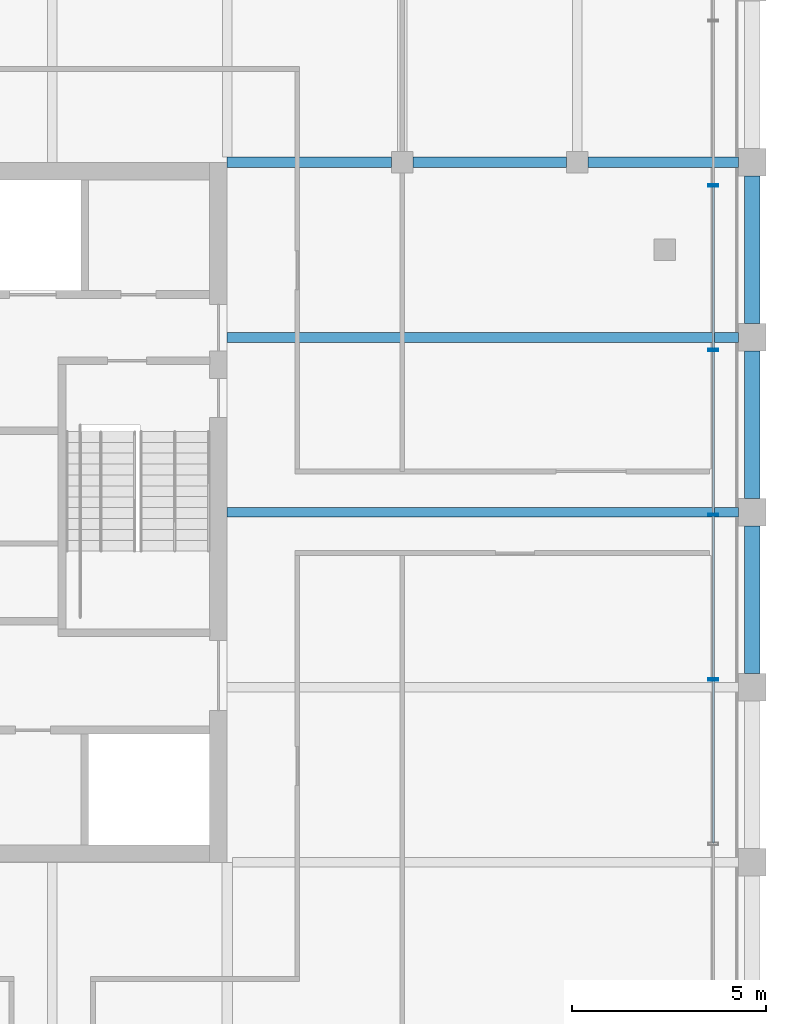
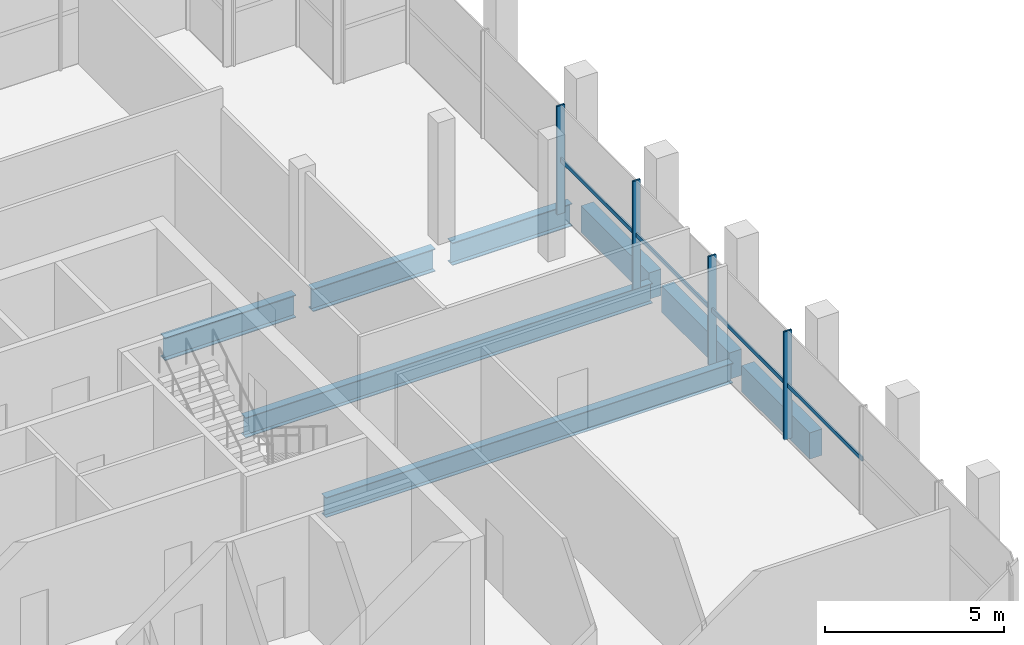
# One storey, part 9 of 17: 8 beams, 8 members, 1 element without a shape of its own.
"""IFC4 building model written with IfcOpenShell, lengths in metres."""

from ifc_helpers import new_model, si_unit, direction, frame, origin, origin_2d, place, context, subcontext, project, spatial, rectangle, hollow_rectangle, i_section, extrude, material, material_profile, profile_set, type_object, element, aggregate, save


model = new_model("IFC4")

# Units and contexts
model_context = context("Model", 3, precision=1e-05, world=origin(), true_north=direction((0.0, 1.0)))
body_context = subcontext(model_context, "Body", "Model", "MODEL_VIEW")
ifc_project = project(units=[si_unit("LENGTHUNIT", "METRE"), si_unit("AREAUNIT", "SQUARE_METRE"), si_unit("VOLUMEUNIT", "CUBIC_METRE"), si_unit("PLANEANGLEUNIT", "RADIAN"), si_unit("MASSUNIT", "GRAM", prefix="KILO")], contexts=[model_context])

# Site, building, storey
site_placement = place(None, origin())
site = spatial("IfcSite", under=ifc_project, at=site_placement, CompositionType="ELEMENT")
building_placement = place(site_placement, origin())
building = spatial("IfcBuilding", under=site, at=building_placement, Name="Altepetl Exchange Towers", CompositionType="ELEMENT")
storey_placement = place(building_placement, frame((0.0, 0.0, 259.39990234375)))
storey = spatial("IfcBuildingStorey", under=building, at=storey_placement, Name="L66", CompositionType="ELEMENT", Elevation=259.39990234375)

# Beams
ifc_material_1 = material(Name="Steel S355", Category="steel")
ifc_material_profile_1 = material_profile(ifc_material_1, i_section(OverallWidth=0.25390625, OverallDepth=0.68408203125, WebThickness=0.012451171875, FlangeThickness=0.018798828125, at=origin_2d()), Name="W27X94")
ifc_profile_set_1 = profile_set([ifc_material_profile_1], Name="Steel S355")
beam_type_1 = type_object("IfcBeamType", Name="Floor beam W27X94", PredefinedType="BEAM", material=ifc_profile_set_1)
for number, where, z_axis, x_axis, name in (
    (1, (58.5, 49.5, -0.516845703125), (1.0, 0.0, 0.0), (0.0, 1.0, 0.0), "bm:A:L66:010"),
    (2, (58.5, 54.0, -0.516845703125), (1.0, 0.0, 0.0), (0.0, 1.0, 0.0), "bm:A:L66:011"),
):
    element("IfcBeam", number, at=place(storey_placement, frame(where, z_axis=z_axis, x_axis=x_axis)), inside=storey, type_object=beam_type_1, Name=name, PredefinedType="BEAM", context=body_context, shape_type="SweptSolid", body=[
        extrude(i_section(OverallWidth=0.25390625, OverallDepth=0.68408203125, WebThickness=0.012451171875, FlangeThickness=0.018798828125, at=origin_2d()), origin(), (0.0, 0.0, 1.0), 13.14990234375),
    ])
ifc_material_profile_2 = material_profile(ifc_material_1, i_section(OverallWidth=0.26806640625, OverallDepth=0.77392578125, WebThickness=0.015380859375, FlangeThickness=0.025390625, at=origin_2d()), Name="W30X132")
ifc_profile_set_2 = profile_set([ifc_material_profile_2], Name="Steel S355")
beam_type_2 = type_object("IfcBeamType", Name="Girder W30X132", PredefinedType="BEAM", material=ifc_profile_set_2)
beam_1_placement = place(storey_placement, frame((58.5, 58.5, -0.56201171875), z_axis=(1.0, 0.0, 0.0), x_axis=(0.0, 1.0, 0.0)))
element("IfcBeam", 3, at=beam_1_placement, inside=storey, type_object=beam_type_2, Name="gd:A:L66:000", PredefinedType="BEAM", context=body_context, shape_type="SweptSolid", body=[
    extrude(i_section(OverallWidth=0.26806640625, OverallDepth=0.77392578125, WebThickness=0.015380859375, FlangeThickness=0.025390625, at=origin_2d()), origin(), (0.0, 0.0, 1.0), 4.22509765625),
])
beam_2_placement = place(storey_placement, frame((63.27490234375, 58.5, -0.56201171875), z_axis=(1.0, 0.0, 0.0), x_axis=(0.0, 1.0, 0.0)))
element("IfcBeam", 4, at=beam_2_placement, inside=storey, type_object=beam_type_2, Name="gd:A:L66:001", PredefinedType="BEAM", context=body_context, shape_type="SweptSolid", body=[
    extrude(i_section(OverallWidth=0.26806640625, OverallDepth=0.77392578125, WebThickness=0.015380859375, FlangeThickness=0.025390625, at=origin_2d()), origin(), (0.0, 0.0, 1.0), 3.9501953125),
])
beam_3_placement = place(storey_placement, frame((67.77490234375, 58.5, -0.56201171875), z_axis=(1.0, 0.0, 0.0), x_axis=(0.0, 1.0, 0.0)))
element("IfcBeam", 5, at=beam_3_placement, inside=storey, type_object=beam_type_2, Name="gd:A:L66:002", PredefinedType="BEAM", context=body_context, shape_type="SweptSolid", body=[
    extrude(i_section(OverallWidth=0.26806640625, OverallDepth=0.77392578125, WebThickness=0.015380859375, FlangeThickness=0.025390625, at=origin_2d()), origin(), (0.0, 0.0, 1.0), 3.875),
])

# Curtain wall, members
ifc_material_2 = material(Name="Aluminium 6063-T6 glazing", Category="aluminium")
curtain_wall_type = type_object("IfcCurtainWallType", Name="Executive flush glazing system", PredefinedType="NOTDEFINED", material=ifc_material_2)
curtain_wall_placement = place(storey_placement, origin())
curtain_wall = element("IfcCurtainWall", 6, at=curtain_wall_placement, inside=storey, type_object=curtain_wall_type, Name="CW4 run", PredefinedType="NOTDEFINED")
ifc_material_3 = material(Name="Aluminium 6063-T6", Category="aluminium")
ifc_material_profile_3 = material_profile(ifc_material_3, hollow_rectangle(XDim=0.06005859375, YDim=0.25, WallThickness=0.0029296875, at=origin_2d()), Name="Mullion 60x250 hollow aluminium")
ifc_profile_set_3 = profile_set([ifc_material_profile_3], Name="Aluminium 6063-T6")
member_type_1 = type_object("IfcMemberType", Name="Mullion 60x250 hollow aluminium", PredefinedType="MULLION", material=ifc_profile_set_3)
member_1_placement = place(storey_placement, frame((71.0, 45.203125, 0.0), z_axis=(0.0, 0.0, 1.0), x_axis=(0.0, 1.0, 0.0)))
member_1 = element("IfcMember", 7, at=member_1_placement, type_object=member_type_1, Name="MU3 mullion", PredefinedType="MULLION", context=body_context, shape_type="SweptSolid", body=[
    extrude(hollow_rectangle(XDim=0.06005859375, YDim=0.25, WallThickness=0.0029296875, at=origin_2d()), origin(), (0.0, 0.0, 1.0), 3.7001953125),
])
member_2_placement = place(storey_placement, frame((71.0, 49.4375, 0.0), z_axis=(0.0, 0.0, 1.0), x_axis=(0.0, 1.0, 0.0)))
member_2 = element("IfcMember", 8, at=member_2_placement, type_object=member_type_1, Name="MU3 mullion", PredefinedType="MULLION", context=body_context, shape_type="SweptSolid", body=[
    extrude(hollow_rectangle(XDim=0.06005859375, YDim=0.25, WallThickness=0.0029296875, at=origin_2d()), origin(), (0.0, 0.0, 1.0), 3.7001953125),
])
member_3_placement = place(storey_placement, frame((71.0, 53.671875, 0.0), z_axis=(0.0, 0.0, 1.0), x_axis=(0.0, 1.0, 0.0)))
member_3 = element("IfcMember", 9, at=member_3_placement, type_object=member_type_1, Name="MU3 mullion", PredefinedType="MULLION", context=body_context, shape_type="SweptSolid", body=[
    extrude(hollow_rectangle(XDim=0.06005859375, YDim=0.25, WallThickness=0.0029296875, at=origin_2d()), origin(), (0.0, 0.0, 1.0), 3.7001953125),
])
member_4_placement = place(storey_placement, frame((71.0, 57.90625, 0.0), z_axis=(0.0, 0.0, 1.0), x_axis=(0.0, 1.0, 0.0)))
member_4 = element("IfcMember", 10, at=member_4_placement, type_object=member_type_1, Name="MU3 mullion", PredefinedType="MULLION", context=body_context, shape_type="SweptSolid", body=[
    extrude(hollow_rectangle(XDim=0.06005859375, YDim=0.25, WallThickness=0.0029296875, at=origin_2d()), origin(), (0.0, 0.0, 1.0), 3.7001953125),
])

# Beams
ifc_material_4 = material(Name="Concrete C50/60 precast with cantera amarilla facing", Category="concrete")
ifc_material_profile_4 = material_profile(ifc_material_4, rectangle(XDim=0.39990234375, YDim=0.89990234375, at=origin_2d()), Name="400 x 900")
ifc_profile_set_4 = profile_set([ifc_material_profile_4], Name="Concrete C50/60 precast with cantera amarilla facing")
beam_type_3 = type_object("IfcBeamType", Name="Spandrel beam 400x900 cantera amarilla", PredefinedType="SPANDREL", material=ifc_profile_set_4)
for number, where, z_axis, x_axis, name in (
    (11, (72.0, 45.35009765625, -0.625), (0.0, 1.0, 0.0), (-1.0, 0.0, 0.0), "sp:A:L66:015"),
    (12, (72.0, 49.85009765625, -0.625), (0.0, 1.0, 0.0), (-1.0, 0.0, 0.0), "sp:A:L66:016"),
    (13, (72.0, 54.35009765625, -0.625), (0.0, 1.0, 0.0), (-1.0, 0.0, 0.0), "sp:A:L66:017"),
):
    element("IfcBeam", number, at=place(storey_placement, frame(where, z_axis=z_axis, x_axis=x_axis)), inside=storey, type_object=beam_type_3, Name=name, PredefinedType="SPANDREL", context=body_context, shape_type="SweptSolid", body=[
        extrude(rectangle(XDim=0.39990234375, YDim=0.89990234375, at=origin_2d()), origin(), (0.0, 0.0, 1.0), 3.7998046875),
    ])

# Member
ifc_material_profile_5 = material_profile(ifc_material_3, hollow_rectangle(XDim=0.050048828125, YDim=0.139892578125, WallThickness=0.0029296875, at=origin_2d()), Name="Transom 50x140 hollow aluminium")
ifc_profile_set_5 = profile_set([ifc_material_profile_5], Name="Aluminium 6063-T6")
member_type_2 = type_object("IfcMemberType", Name="Transom 50x140 hollow aluminium", PredefinedType="USERDEFINED", material=ifc_profile_set_5)
member_5_placement = place(storey_placement, frame((71.0, 40.998779296875, 1.85009765625), z_axis=(0.0, 1.0, 0.0), x_axis=(-1.0, 0.0, 0.0)))
member_5 = element("IfcMember", 14, at=member_5_placement, type_object=member_type_2, Name="TR2 transom", ObjectType="TRANSOM", PredefinedType="USERDEFINED", context=body_context, shape_type="SweptSolid", body=[
    extrude(hollow_rectangle(XDim=0.050048828125, YDim=0.139892578125, WallThickness=0.0029296875, at=origin_2d()), origin(), (0.0, 0.0, 1.0), 4.17431640625),
])

member_6_placement = place(storey_placement, frame((71.0, 45.233154296875, 1.85009765625), z_axis=(0.0, 1.0, 0.0), x_axis=(-1.0, 0.0, 0.0)))
member_6 = element("IfcMember", 15, at=member_6_placement, type_object=member_type_2, Name="TR2 transom", ObjectType="TRANSOM", PredefinedType="USERDEFINED", context=body_context, shape_type="SweptSolid", body=[
    extrude(hollow_rectangle(XDim=0.050048828125, YDim=0.139892578125, WallThickness=0.0029296875, at=origin_2d()), origin(), (0.0, 0.0, 1.0), 4.17431640625),
])

member_7_placement = place(storey_placement, frame((71.0, 49.467529296875, 1.85009765625), z_axis=(0.0, 1.0, 0.0), x_axis=(-1.0, 0.0, 0.0)))
member_7 = element("IfcMember", 16, at=member_7_placement, type_object=member_type_2, Name="TR2 transom", ObjectType="TRANSOM", PredefinedType="USERDEFINED", context=body_context, shape_type="SweptSolid", body=[
    extrude(hollow_rectangle(XDim=0.050048828125, YDim=0.139892578125, WallThickness=0.0029296875, at=origin_2d()), origin(), (0.0, 0.0, 1.0), 4.17431640625),
])

member_8_placement = place(storey_placement, frame((71.0, 53.701904296875, 1.85009765625), z_axis=(0.0, 1.0, 0.0), x_axis=(-1.0, 0.0, 0.0)))
member_8 = element("IfcMember", 17, at=member_8_placement, type_object=member_type_2, Name="TR2 transom", ObjectType="TRANSOM", PredefinedType="USERDEFINED", context=body_context, shape_type="SweptSolid", body=[
    extrude(hollow_rectangle(XDim=0.050048828125, YDim=0.139892578125, WallThickness=0.0029296875, at=origin_2d()), origin(), (0.0, 0.0, 1.0), 4.17431640625),
])

aggregate(curtain_wall, [member_1, member_2, member_3, member_4, member_5, member_6, member_7, member_8])

save(model, "model.ifc")
